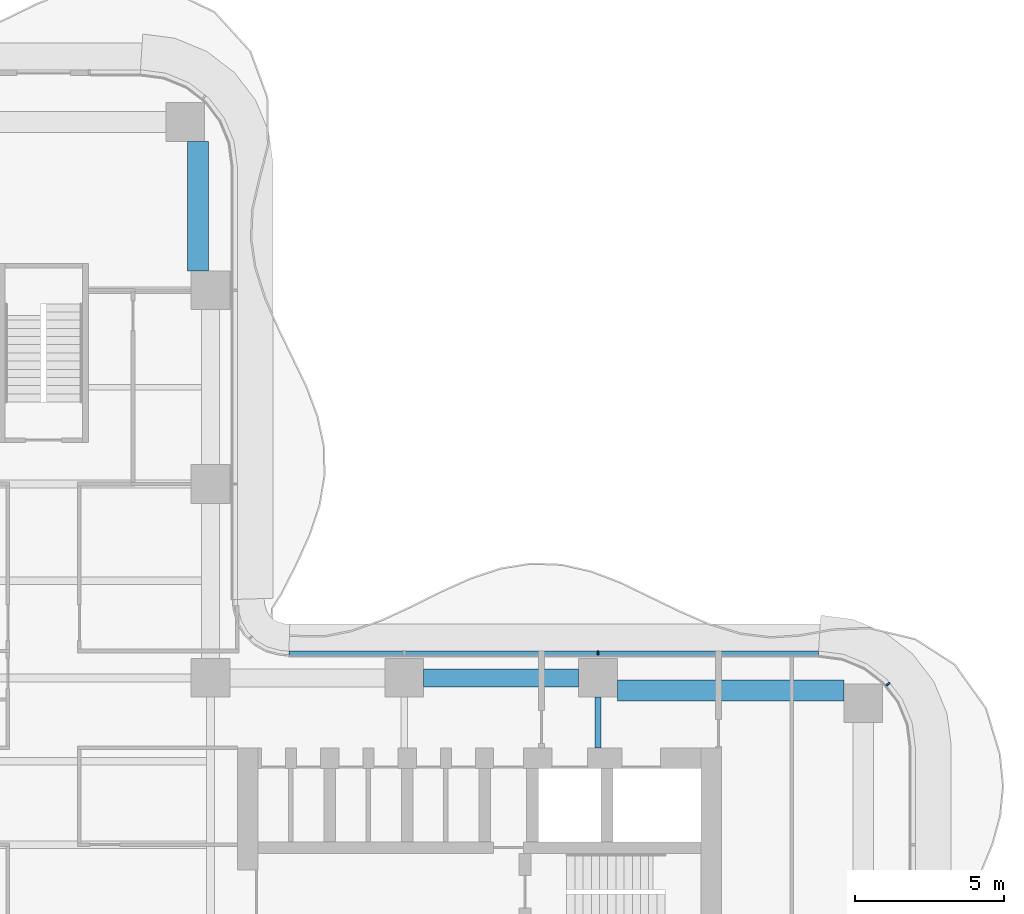
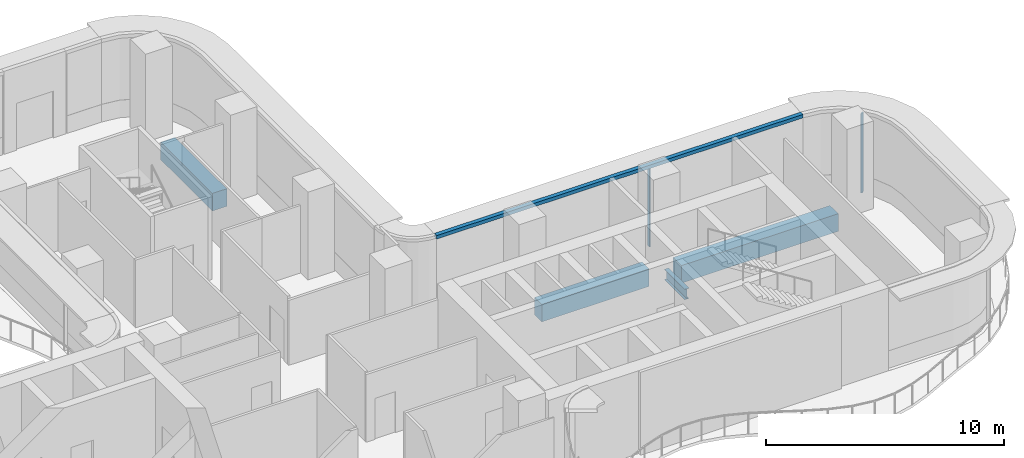
# One storey, part 11 of 23: 4 beams, 3 members, 2 elements without a shape of their own.
"""IFC4 building model written with IfcOpenShell, lengths in metres."""

from ifc_helpers import new_model, si_unit, direction, frame, origin, origin_2d, place, context, subcontext, project, spatial, polyline, rectangle, i_section, outline, extrude, source, transform, mapped, material, layer, layer_set, material_profile, profile_set, type_object, element, aggregate, save


model = new_model("IFC4")

# Units and contexts
model_context = context("Model", 3, precision=1e-05, world=origin(), true_north=direction((0.0, 1.0)))
body_context = subcontext(model_context, "Body", "Model", "MODEL_VIEW")
ifc_project = project(units=[si_unit("LENGTHUNIT", "METRE"), si_unit("AREAUNIT", "SQUARE_METRE"), si_unit("VOLUMEUNIT", "CUBIC_METRE"), si_unit("PLANEANGLEUNIT", "RADIAN"), si_unit("MASSUNIT", "GRAM", prefix="KILO")], contexts=[model_context])

# Site, building, storey
site_placement = place(None, origin())
site = spatial("IfcSite", under=ifc_project, at=site_placement, CompositionType="ELEMENT")
building_placement = place(site_placement, origin())
building = spatial("IfcBuilding", under=site, at=building_placement, Name="Trellis Farm Tower", CompositionType="ELEMENT")
storey_placement = place(building_placement, frame((0.0, 0.0, 111.0)))
storey = spatial("IfcBuildingStorey", under=building, at=storey_placement, Name="L23", CompositionType="ELEMENT", Elevation=111.0)

# Beams
ifc_material_1 = material(Name="Steel S355", Category="steel")
ifc_material_profile_1 = material_profile(ifc_material_1, i_section(OverallWidth=0.209228515625, OverallDepth=0.533203125, WebThickness=0.010009765625, FlangeThickness=0.015625, FilletRadius=0.0126953125, at=origin_2d()), Name="UB 533x210x92")
ifc_profile_set_1 = profile_set([ifc_material_profile_1], Name="Steel S355")
beam_type_1 = type_object("IfcBeamType", Name="UB 533x210x92", PredefinedType="BEAM", material=ifc_profile_set_1)
shared_shape_1 = source(origin(), body_context, "Body", "SweptSolid", [
    extrude(i_section(OverallWidth=0.209228515625, OverallDepth=0.533203125, WebThickness=0.010009765625, FlangeThickness=0.015625, FilletRadius=0.0126953125, at=origin_2d()), origin(), (0.0, 0.0, 1.0), 1.699951171875),
])
beam_1_placement = place(storey_placement, frame((18.60009765625, 3.25, -0.5166015625), z_axis=(0.0, 1.0, 0.0), x_axis=(-1.0, 0.0, 0.0)))
element("IfcBeam", 1, at=beam_1_placement, inside=storey, type_object=beam_type_1, Name="Girder", PredefinedType="BEAM", context=body_context, shape_type="MappedRepresentation", body=[
    mapped(shared_shape_1, transform((0.0, 0.0, 0.0))),
])
ifc_material_2 = material(Name="Concrete C60/75", Category="concrete")
ifc_material_profile_2 = material_profile(ifc_material_2, rectangle(XDim=0.60009765625, YDim=0.89990234375, at=origin_2d()), Name="RC spandrel beam 600x900 C60/75")
ifc_profile_set_2 = profile_set([ifc_material_profile_2], Name="Concrete C60/75")
beam_type_2 = type_object("IfcBeamType", Name="RC spandrel beam 600x900 C60/75", PredefinedType="SPANDREL", material=ifc_profile_set_2)
shared_shape_2 = source(origin(), body_context, "Body", "SweptSolid", [
    extrude(rectangle(XDim=0.60009765625, YDim=0.89990234375, at=origin_2d()), origin(), (0.0, 0.0, 1.0), 5.199951171875),
])
beam_2_placement = place(storey_placement, frame((12.75, 5.60009765625, -0.699951171875), z_axis=(1.0, 0.0, 0.0), x_axis=(0.0, 1.0, 0.0)))
element("IfcBeam", 2, at=beam_2_placement, inside=storey, type_object=beam_type_2, Name="Girder", PredefinedType="SPANDREL", context=body_context, shape_type="MappedRepresentation", body=[
    mapped(shared_shape_2, transform((0.0, 0.0, 0.0))),
])
ifc_material_profile_3 = material_profile(ifc_material_2, rectangle(XDim=0.699951171875, YDim=0.89990234375, at=origin_2d()), Name="RC spandrel beam 700x900 C60/75")
ifc_profile_set_3 = profile_set([ifc_material_profile_3], Name="Concrete C60/75")
beam_type_3 = type_object("IfcBeamType", Name="RC spandrel beam 700x900 C60/75", PredefinedType="SPANDREL", material=ifc_profile_set_3)
shared_shape_3 = source(origin(), body_context, "Body", "SweptSolid", [
    extrude(rectangle(XDim=0.699951171875, YDim=0.89990234375, at=origin_2d()), origin(), (0.0, 0.0, 1.0), 4.35009765625),
])
beam_3_placement = place(storey_placement, frame((5.175048828125, 19.25, -0.699951171875), z_axis=(0.0, 1.0, 0.0), x_axis=(-1.0, 0.0, 0.0)))
element("IfcBeam", 3, at=beam_3_placement, inside=storey, type_object=beam_type_3, Name="Girder", PredefinedType="SPANDREL", context=body_context, shape_type="MappedRepresentation", body=[
    mapped(shared_shape_3, transform((0.0, 0.0, 0.0))),
])
shared_shape_4 = source(origin(), body_context, "Body", "SweptSolid", [
    extrude(rectangle(XDim=0.699951171875, YDim=0.89990234375, at=origin_2d()), origin(), (0.0, 0.0, 1.0), 7.60009765625),
])
beam_4_placement = place(storey_placement, frame((19.25, 5.175048828125, -0.699951171875), z_axis=(1.0, 0.0, 0.0), x_axis=(0.0, 1.0, 0.0)))
element("IfcBeam", 4, at=beam_4_placement, inside=storey, type_object=beam_type_3, Name="Girder", PredefinedType="SPANDREL", context=body_context, shape_type="MappedRepresentation", body=[
    mapped(shared_shape_4, transform((0.0, 0.0, 0.0))),
])

# Curtain wall, member
ifc_material_3 = material(Name="Aluminium and glass curtain wall", Category="aluminium")
ifc_layer_1 = layer(ifc_material_3, 0.18994140625)
ifc_layer_set_1 = layer_set([ifc_layer_1], Name="RIBBON CURTAIN WALL CW1")
curtain_wall_type = type_object("IfcCurtainWallType", Name="RIBBON CURTAIN WALL CW1", PredefinedType="NOTDEFINED", material=ifc_layer_set_1)
placement = place(storey_placement, origin())
curtain_wall_1 = element("IfcCurtainWall", 5, at=placement, inside=storey, type_object=curtain_wall_type, Name="CW1 007", PredefinedType="NOTDEFINED")
ifc_material_4 = material(Name="Aluminium extrusion 6063-T6", Category="aluminium")
ifc_material_profile_4 = material_profile(ifc_material_4, rectangle(XDim=0.06005859375, YDim=0.14990234375, at=origin_2d()), Name="MULLION 60x150")
ifc_profile_set_4 = profile_set([ifc_material_profile_4], Name="Aluminium extrusion 6063-T6")
member_type_1 = type_object("IfcMemberType", Name="CW1 MULLION 60x150", PredefinedType="MULLION", material=ifc_profile_set_4)
shared_shape_5 = source(origin(), body_context, "Body", "SweptSolid", [
    extrude(rectangle(XDim=0.06005859375, YDim=0.14990234375, at=origin_2d()), origin(), (0.0, 0.0, 1.0), 4.070068359375),
])
member_1_placement = place(storey_placement, frame((28.328369140625, 5.385498046875, 0.0), z_axis=(0.0, 0.0, 1.0), x_axis=(-0.608761429009, 0.793353340291, 0.0)))
member_1 = element("IfcMember", 6, at=member_1_placement, type_object=member_type_1, Name="MU1 007-02", PredefinedType="MULLION", context=body_context, shape_type="MappedRepresentation", body=[
    mapped(shared_shape_5, transform((0.0, 0.0, 0.0))),
])
aggregate(curtain_wall_1, [member_1])

# Curtain wall, members
curtain_wall_2 = element("IfcCurtainWall", 7, at=placement, inside=storey, type_object=curtain_wall_type, Name="CW1 008", PredefinedType="NOTDEFINED")
member_2_placement = place(storey_placement, frame((18.60009765625, 6.425048828125, 0.0), z_axis=(0.0, 0.0, 1.0), x_axis=(-1.0, 0.0, 0.0)))
member_2 = element("IfcMember", 8, at=member_2_placement, type_object=member_type_1, Name="MU1 008-01", PredefinedType="MULLION", context=body_context, shape_type="MappedRepresentation", body=[
    mapped(shared_shape_5, transform((0.0, 0.0, 0.0))),
])
ifc_layer_2 = layer(ifc_material_4, 0.199951171875)
ifc_layer_set_2 = layer_set([ifc_layer_2], Name="Aluminium extrusion 6063-T6")
member_type_2 = type_object("IfcMemberType", Name="CW1 TRANSOM 200x180", PredefinedType="USERDEFINED", material=ifc_layer_set_2)
shared_shape_6 = source(origin(), body_context, "Body", "SweptSolid", [
    extrude(outline(polyline([(26.0, 6.5), (8.2314453125, 6.5), (8.224853515625, 6.300048828125), (25.98681640625, 6.300048828125), (26.0, 6.5)])), origin(), (0.0, 0.0, 1.0), 0.179931640625),
])
member_3_placement = place(storey_placement, frame((0.0, 0.0, 4.070068359375)))
member_3 = element("IfcMember", 9, at=member_3_placement, type_object=member_type_2, Name="TR1 008", ObjectType="TRANSOM", PredefinedType="USERDEFINED", context=body_context, shape_type="MappedRepresentation", body=[
    mapped(shared_shape_6, transform((0.0, 0.0, 0.0))),
])
aggregate(curtain_wall_2, [member_2, member_3])

save(model, "model.ifc")
